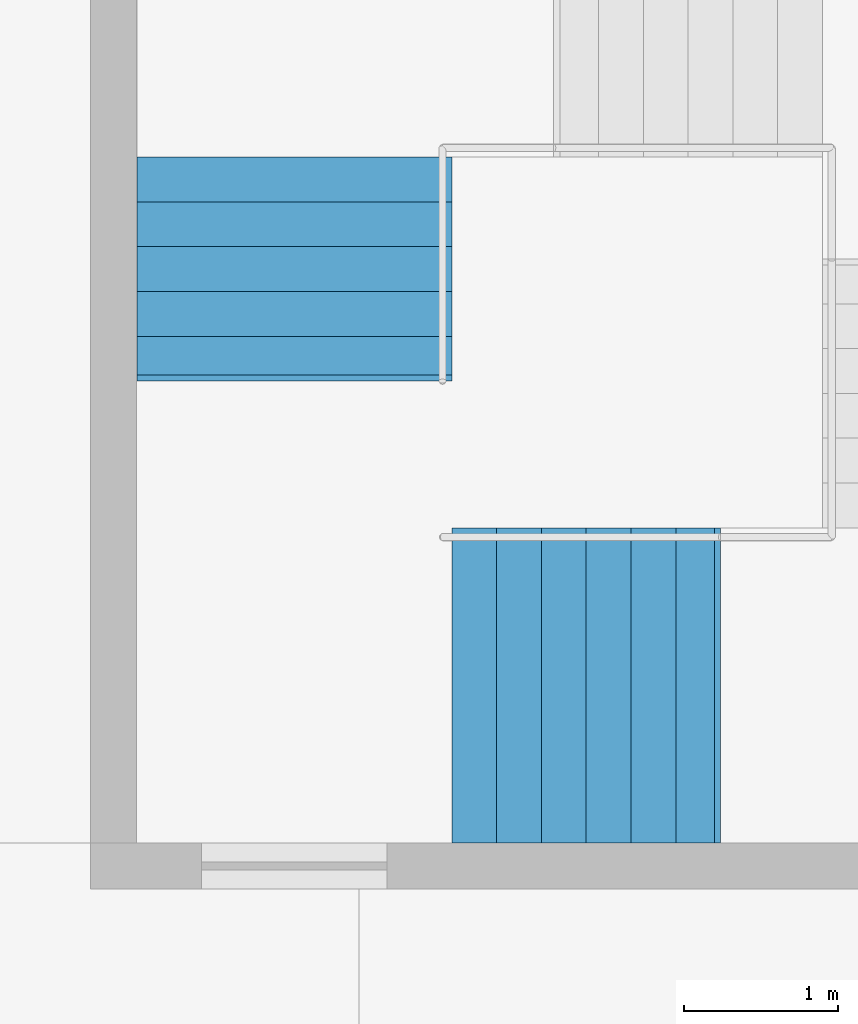
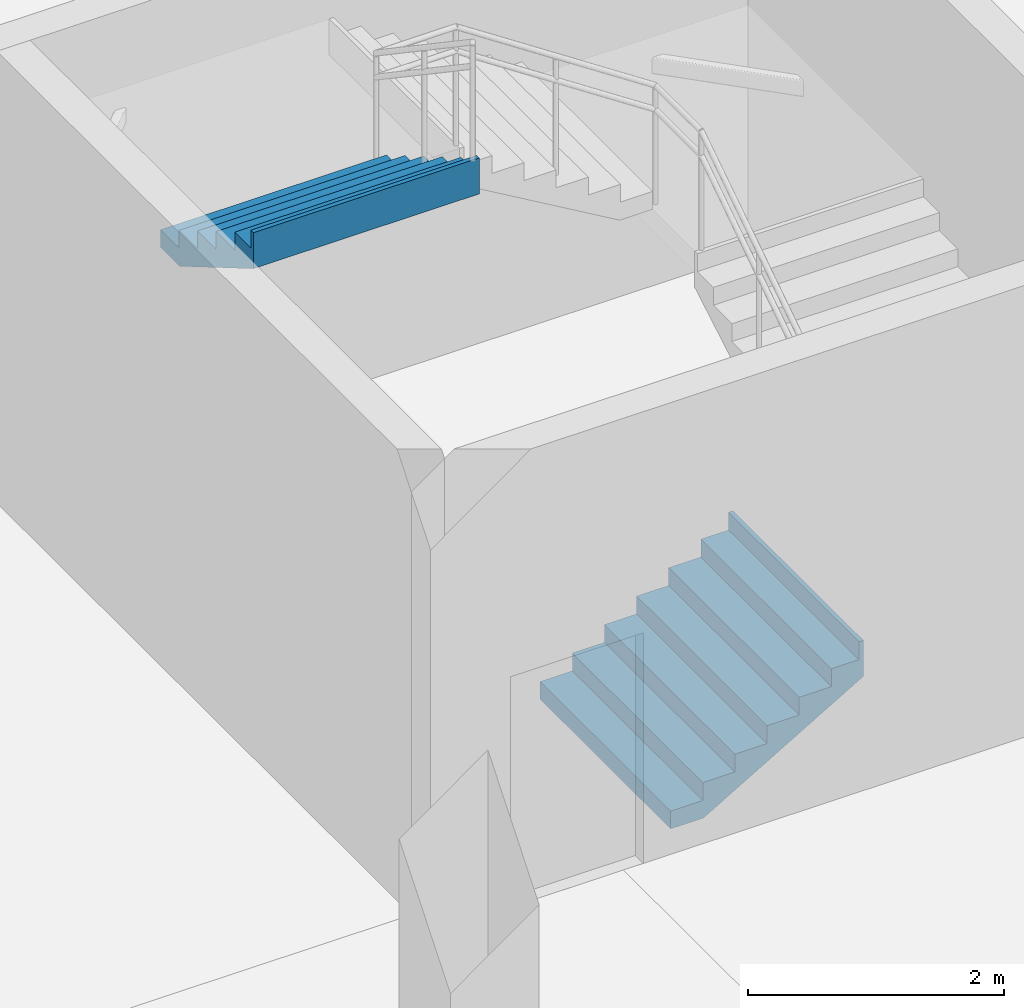
# One storey, part 23 of 30: 2 stair flights, 1 element without a shape of its own.
"""IFC4 building model written with IfcOpenShell, lengths in metres."""

from ifc_helpers import new_model, si_unit, direction, frame, origin, place, context, subcontext, project, spatial, triangles, material, type_object, element, aggregate, save


model = new_model("IFC4")

# Units and contexts
model_context = context("Model", 3, precision=1e-05, world=origin(), true_north=direction((0.0, 1.0)))
body_context = subcontext(model_context, "Body", "Model", "MODEL_VIEW")
ifc_project = project(units=[si_unit("LENGTHUNIT", "METRE"), si_unit("AREAUNIT", "SQUARE_METRE"), si_unit("VOLUMEUNIT", "CUBIC_METRE"), si_unit("PLANEANGLEUNIT", "RADIAN"), si_unit("MASSUNIT", "GRAM", prefix="KILO")], contexts=[model_context])

# Site, building, storey
site_placement = place(None, origin())
site = spatial("IfcSite", under=ifc_project, at=site_placement, CompositionType="ELEMENT")
building_placement = place(site_placement, origin())
building = spatial("IfcBuilding", under=site, at=building_placement, Name="Sillaruma Civic Art Gallery", CompositionType="ELEMENT")
storey_placement = place(building_placement, frame((0.0, 0.0, -9.179931640625)))
storey = spatial("IfcBuildingStorey", under=building, at=storey_placement, Name="B02", CompositionType="ELEMENT", Elevation=-9.179931640625)

# Stair, stair flights
ifc_material = material(Name="Concrete H35 (35 MPa)", Category="concrete")
stair_type = type_object("IfcStairType", Name="STR-4F-27", PredefinedType="USERDEFINED", material=ifc_material)
stair_placement = place(storey_placement, origin())
stair = element("IfcStair", 1, at=stair_placement, inside=storey, type_object=stair_type, Name="Protected Exit Stair ST-01 (West Wing) (B02)", ObjectType="THREE_RETURN_STAIR", PredefinedType="USERDEFINED")
stair_flight_type_1 = type_object("IfcStairFlightType", Name="SFL-STR-6", PredefinedType="STRAIGHT", material=ifc_material)
stair_flight_1_placement = place(storey_placement, frame((26.580078125, 105.139892578125, 3.56982421875), z_axis=(0.0, 0.0, 1.0), x_axis=(0.0, -1.0, 0.0)))
stair_flight_1 = element("IfcStairFlight", 2, at=stair_flight_1_placement, type_object=stair_flight_type_1, Name="ST-01 flight 4", NumberOfRisers=6, NumberOfTreads=5, PredefinedType="STRAIGHT", RiserHeight=0.17, TreadLength=0.29, context=body_context, shape_type="Tessellation", body=[
    triangles([(0.0, -1.02001953125, 0.0), (0.29, -1.02001953125, 0.0), (0.296365, -1.02001953125, 0.0), (0.58, -1.02001953125, 0.166269), (0.87, -1.02001953125, 0.336269), (1.16, -1.02001953125, 0.506269), (1.409951, -1.02001953125, 0.652792), (1.449951, -1.02001953125, 0.67624), (1.449951, -1.02001953125, 1.02), (1.409951, -1.02001953125, 1.02), (1.409951, -1.02001953125, 0.85), (1.16, -1.02001953125, 0.85), (1.16, -1.02001953125, 0.68), (0.87, -1.02001953125, 0.68), (0.87, -1.02001953125, 0.51), (0.58, -1.02001953125, 0.51), (0.58, -1.02001953125, 0.34), (0.296365, -1.02001953125, 0.34), (0.29, -1.02001953125, 0.34), (0.29, -1.02001953125, 0.17), (0.0, -1.02001953125, 0.17), (0.0, -0.05, 0.0), (0.29, -0.05, 0.0), (0.296365, -0.05, 0.0), (0.58, -0.05, 0.166269), (0.87, -0.05, 0.336269), (1.16, -0.05, 0.506269), (1.409951, -0.05, 0.652792), (1.449951, -0.05, 0.67624), (1.449951, -0.05, 1.02), (1.409951, -0.05, 1.02), (1.409951, -0.05, 0.85), (1.16, -0.05, 0.85), (1.16, -0.05, 0.68), (0.87, -0.05, 0.68), (0.87, -0.05, 0.51), (0.58, -0.05, 0.51), (0.58, -0.05, 0.34), (0.296365, -0.05, 0.34), (0.29, -0.05, 0.34), (0.29, -0.05, 0.17), (0.0, -0.05, 0.17), (0.0, -0.0375, 0.0), (0.29, -0.0375, 0.0), (0.296365, -0.0375, 0.0), (0.58, -0.0375, 0.166269), (0.87, -0.0375, 0.336269), (1.16, -0.0375, 0.506269), (1.409951, -0.0375, 0.652792), (1.449951, -0.0375, 0.67624), (1.449951, -0.0375, 1.02), (1.409951, -0.0375, 1.02), (1.409951, -0.0375, 0.85), (1.16, -0.0375, 0.85), (1.16, -0.0375, 0.68), (0.87, -0.0375, 0.68), (0.87, -0.0375, 0.51), (0.58, -0.0375, 0.51), (0.58, -0.0375, 0.34), (0.296365, -0.0375, 0.34), (0.29, -0.0375, 0.34), (0.29, -0.0375, 0.17), (0.0, -0.0375, 0.17), (0.0, -0.025, 0.0), (0.29, -0.025, 0.0), (0.296365, -0.025, 0.0), (0.58, -0.025, 0.166269), (0.87, -0.025, 0.336269), (1.16, -0.025, 0.506269), (1.409951, -0.025, 0.652792), (1.449951, -0.025, 0.67624), (1.449951, -0.025, 1.02), (1.409951, -0.025, 1.02), (1.409951, -0.025, 0.85), (1.16, -0.025, 0.85), (1.16, -0.025, 0.68), (0.87, -0.025, 0.68), (0.87, -0.025, 0.51), (0.58, -0.025, 0.51), (0.58, -0.025, 0.34), (0.296365, -0.025, 0.34), (0.29, -0.025, 0.34), (0.29, -0.025, 0.17), (0.0, -0.025, 0.17), (0.0, -0.0125, 0.0), (0.29, -0.0125, 0.0), (0.296365, -0.0125, 0.0), (0.58, -0.0125, 0.166269), (0.87, -0.0125, 0.336269), (1.16, -0.0125, 0.506269), (1.409951, -0.0125, 0.652792), (1.449951, -0.0125, 0.67624), (1.449951, -0.0125, 1.02), (1.409951, -0.0125, 1.02), (1.409951, -0.0125, 0.85), (1.16, -0.0125, 0.85), (1.16, -0.0125, 0.68), (0.87, -0.0125, 0.68), (0.87, -0.0125, 0.51), (0.58, -0.0125, 0.51), (0.58, -0.0125, 0.34), (0.296365, -0.0125, 0.34), (0.29, -0.0125, 0.34), (0.29, -0.0125, 0.17), (0.0, -0.0125, 0.17), (0.0, 0.0, 0.0), (0.29, 0.0, 0.0), (0.296365, 0.0, 0.0), (0.58, 0.0, 0.166269), (0.87, 0.0, 0.336269), (1.16, 0.0, 0.506269), (1.409951, 0.0, 0.652792), (1.449951, 0.0, 0.67624), (1.449951, 0.0, 1.02), (1.409951, 0.0, 1.02), (1.409951, 0.0, 0.85), (1.16, 0.0, 0.85), (1.16, 0.0, 0.68), (0.87, 0.0, 0.68), (0.87, 0.0, 0.51), (0.58, 0.0, 0.51), (0.58, 0.0, 0.34), (0.296365, 0.0, 0.34), (0.29, 0.0, 0.34), (0.29, 0.0, 0.17), (0.0, 0.0, 0.17), (0.0, 0.0125, 0.0), (0.29, 0.0125, 0.0), (0.296365, 0.0125, 0.0), (0.58, 0.0125, 0.166269), (0.87, 0.0125, 0.336269), (1.16, 0.0125, 0.506269), (1.409951, 0.0125, 0.652792), (1.449951, 0.0125, 0.67624), (1.449951, 0.0125, 1.02), (1.409951, 0.0125, 1.02), (1.409951, 0.0125, 0.85), (1.16, 0.0125, 0.85), (1.16, 0.0125, 0.68), (0.87, 0.0125, 0.68), (0.87, 0.0125, 0.51), (0.58, 0.0125, 0.51), (0.58, 0.0125, 0.34), (0.296365, 0.0125, 0.34), (0.29, 0.0125, 0.34), (0.29, 0.0125, 0.17), (0.0, 0.0125, 0.17), (0.0, 0.025, 0.0), (0.29, 0.025, 0.0), (0.296365, 0.025, 0.0), (0.58, 0.025, 0.166269), (0.87, 0.025, 0.336269), (1.16, 0.025, 0.506269), (1.409951, 0.025, 0.652792), (1.449951, 0.025, 0.67624), (1.449951, 0.025, 1.02), (1.409951, 0.025, 1.02), (1.409951, 0.025, 0.85), (1.16, 0.025, 0.85), (1.16, 0.025, 0.68), (0.87, 0.025, 0.68), (0.87, 0.025, 0.51), (0.58, 0.025, 0.51), (0.58, 0.025, 0.34), (0.296365, 0.025, 0.34), (0.29, 0.025, 0.34), (0.29, 0.025, 0.17), (0.0, 0.025, 0.17), (0.0, 0.0375, 0.0), (0.29, 0.0375, 0.0), (0.296365, 0.0375, 0.0), (0.58, 0.0375, 0.166269), (0.87, 0.0375, 0.336269), (1.16, 0.0375, 0.506269), (1.409951, 0.0375, 0.652792), (1.449951, 0.0375, 0.67624), (1.449951, 0.0375, 1.02), (1.409951, 0.0375, 1.02), (1.409951, 0.0375, 0.85), (1.16, 0.0375, 0.85), (1.16, 0.0375, 0.68), (0.87, 0.0375, 0.68), (0.87, 0.0375, 0.51), (0.58, 0.0375, 0.51), (0.58, 0.0375, 0.34), (0.296365, 0.0375, 0.34), (0.29, 0.0375, 0.34), (0.29, 0.0375, 0.17), (0.0, 0.0375, 0.17), (0.0, 0.05, 0.0), (0.29, 0.05, 0.0), (0.296365, 0.05, 0.0), (0.58, 0.05, 0.166269), (0.87, 0.05, 0.336269), (1.16, 0.05, 0.506269), (1.409951, 0.05, 0.652792), (1.449951, 0.05, 0.67624), (1.449951, 0.05, 1.02), (1.409951, 0.05, 1.02), (1.409951, 0.05, 0.85), (1.16, 0.05, 0.85), (1.16, 0.05, 0.68), (0.87, 0.05, 0.68), (0.87, 0.05, 0.51), (0.58, 0.05, 0.51), (0.58, 0.05, 0.34), (0.296365, 0.05, 0.34), (0.29, 0.05, 0.34), (0.29, 0.05, 0.17), (0.0, 0.05, 0.17), (0.0, 1.02001953125, 0.0), (0.29, 1.02001953125, 0.0), (0.296365, 1.02001953125, 0.0), (0.58, 1.02001953125, 0.166269), (0.87, 1.02001953125, 0.336269), (1.16, 1.02001953125, 0.506269), (1.409951, 1.02001953125, 0.652792), (1.449951, 1.02001953125, 0.67624), (1.449951, 1.02001953125, 1.02), (1.409951, 1.02001953125, 1.02), (1.409951, 1.02001953125, 0.85), (1.16, 1.02001953125, 0.85), (1.16, 1.02001953125, 0.68), (0.87, 1.02001953125, 0.68), (0.87, 1.02001953125, 0.51), (0.58, 1.02001953125, 0.51), (0.58, 1.02001953125, 0.34), (0.296365, 1.02001953125, 0.34), (0.29, 1.02001953125, 0.34), (0.29, 1.02001953125, 0.17), (0.0, 1.02001953125, 0.17)], [[1, 2, 20], [1, 20, 21], [2, 3, 18], [2, 18, 20], [20, 18, 19], [3, 4, 17], [3, 17, 18], [4, 5, 15], [4, 15, 17], [17, 15, 16], [5, 6, 13], [5, 13, 15], [15, 13, 14], [6, 7, 11], [6, 11, 13], [13, 11, 12], [7, 8, 9], [7, 9, 11], [11, 9, 10], [230, 212, 211], [231, 230, 211], [228, 213, 212], [230, 228, 212], [229, 228, 230], [227, 214, 213], [228, 227, 213], [225, 215, 214], [227, 225, 214], [226, 225, 227], [223, 216, 215], [225, 223, 215], [224, 223, 225], [221, 217, 216], [223, 221, 216], [222, 221, 223], [219, 218, 217], [221, 219, 217], [220, 219, 221], [2, 1, 22], [2, 22, 23], [3, 2, 23], [3, 23, 24], [4, 3, 24], [4, 24, 25], [5, 4, 25], [5, 25, 26], [6, 5, 26], [6, 26, 27], [7, 6, 27], [7, 27, 28], [8, 7, 28], [8, 28, 29], [9, 8, 29], [9, 29, 30], [10, 9, 30], [10, 30, 31], [11, 10, 31], [11, 31, 32], [12, 11, 32], [12, 32, 33], [13, 12, 33], [13, 33, 34], [14, 13, 34], [14, 34, 35], [15, 14, 35], [15, 35, 36], [16, 15, 36], [16, 36, 37], [17, 16, 37], [17, 37, 38], [18, 17, 38], [18, 38, 39], [19, 18, 39], [19, 39, 40], [20, 19, 40], [20, 40, 41], [21, 20, 41], [21, 41, 42], [1, 21, 42], [1, 42, 22], [23, 22, 43], [23, 43, 44], [24, 23, 44], [24, 44, 45], [25, 24, 45], [25, 45, 46], [26, 25, 46], [26, 46, 47], [27, 26, 47], [27, 47, 48], [28, 27, 48], [28, 48, 49], [29, 28, 49], [29, 49, 50], [30, 29, 50], [30, 50, 51], [31, 30, 51], [31, 51, 52], [32, 31, 52], [32, 52, 53], [33, 32, 53], [33, 53, 54], [34, 33, 54], [34, 54, 55], [35, 34, 55], [35, 55, 56], [36, 35, 56], [36, 56, 57], [37, 36, 57], [37, 57, 58], [38, 37, 58], [38, 58, 59], [39, 38, 59], [39, 59, 60], [40, 39, 60], [40, 60, 61], [41, 40, 61], [41, 61, 62], [42, 41, 62], [42, 62, 63], [22, 42, 63], [22, 63, 43], [44, 43, 64], [44, 64, 65], [45, 44, 65], [45, 65, 66], [46, 45, 66], [46, 66, 67], [47, 46, 67], [47, 67, 68], [48, 47, 68], [48, 68, 69], [49, 48, 69], [49, 69, 70], [50, 49, 70], [50, 70, 71], [51, 50, 71], [51, 71, 72], [52, 51, 72], [52, 72, 73], [53, 52, 73], [53, 73, 74], [54, 53, 74], [54, 74, 75], [55, 54, 75], [55, 75, 76], [56, 55, 76], [56, 76, 77], [57, 56, 77], [57, 77, 78], [58, 57, 78], [58, 78, 79], [59, 58, 79], [59, 79, 80], [60, 59, 80], [60, 80, 81], [61, 60, 81], [61, 81, 82], [62, 61, 82], [62, 82, 83], [63, 62, 83], [63, 83, 84], [43, 63, 84], [43, 84, 64], [65, 64, 85], [65, 85, 86], [66, 65, 86], [66, 86, 87], [67, 66, 87], [67, 87, 88], [68, 67, 88], [68, 88, 89], [69, 68, 89], [69, 89, 90], [70, 69, 90], [70, 90, 91], [71, 70, 91], [71, 91, 92], [72, 71, 92], [72, 92, 93], [73, 72, 93], [73, 93, 94], [74, 73, 94], [74, 94, 95], [75, 74, 95], [75, 95, 96], [76, 75, 96], [76, 96, 97], [77, 76, 97], [77, 97, 98], [78, 77, 98], [78, 98, 99], [79, 78, 99], [79, 99, 100], [80, 79, 100], [80, 100, 101], [81, 80, 101], [81, 101, 102], [82, 81, 102], [82, 102, 103], [83, 82, 103], [83, 103, 104], [84, 83, 104], [84, 104, 105], [64, 84, 105], [64, 105, 85], [86, 85, 106], [86, 106, 107], [87, 86, 107], [87, 107, 108], [88, 87, 108], [88, 108, 109], [89, 88, 109], [89, 109, 110], [90, 89, 110], [90, 110, 111], [91, 90, 111], [91, 111, 112], [92, 91, 112], [92, 112, 113], [93, 92, 113], [93, 113, 114], [94, 93, 114], [94, 114, 115], [95, 94, 115], [95, 115, 116], [96, 95, 116], [96, 116, 117], [97, 96, 117], [97, 117, 118], [98, 97, 118], [98, 118, 119], [99, 98, 119], [99, 119, 120], [100, 99, 120], [100, 120, 121], [101, 100, 121], [101, 121, 122], [102, 101, 122], [102, 122, 123], [103, 102, 123], [103, 123, 124], [104, 103, 124], [104, 124, 125], [105, 104, 125], [105, 125, 126], [85, 105, 126], [85, 126, 106], [107, 106, 127], [107, 127, 128], [108, 107, 128], [108, 128, 129], [109, 108, 129], [109, 129, 130], [110, 109, 130], [110, 130, 131], [111, 110, 131], [111, 131, 132], [112, 111, 132], [112, 132, 133], [113, 112, 133], [113, 133, 134], [114, 113, 134], [114, 134, 135], [115, 114, 135], [115, 135, 136], [116, 115, 136], [116, 136, 137], [117, 116, 137], [117, 137, 138], [118, 117, 138], [118, 138, 139], [119, 118, 139], [119, 139, 140], [120, 119, 140], [120, 140, 141], [121, 120, 141], [121, 141, 142], [122, 121, 142], [122, 142, 143], [123, 122, 143], [123, 143, 144], [124, 123, 144], [124, 144, 145], [125, 124, 145], [125, 145, 146], [126, 125, 146], [126, 146, 147], [106, 126, 147], [106, 147, 127], [128, 127, 148], [128, 148, 149], [129, 128, 149], [129, 149, 150], [130, 129, 150], [130, 150, 151], [131, 130, 151], [131, 151, 152], [132, 131, 152], [132, 152, 153], [133, 132, 153], [133, 153, 154], [134, 133, 154], [134, 154, 155], [135, 134, 155], [135, 155, 156], [136, 135, 156], [136, 156, 157], [137, 136, 157], [137, 157, 158], [138, 137, 158], [138, 158, 159], [139, 138, 159], [139, 159, 160], [140, 139, 160], [140, 160, 161], [141, 140, 161], [141, 161, 162], [142, 141, 162], [142, 162, 163], [143, 142, 163], [143, 163, 164], [144, 143, 164], [144, 164, 165], [145, 144, 165], [145, 165, 166], [146, 145, 166], [146, 166, 167], [147, 146, 167], [147, 167, 168], [127, 147, 168], [127, 168, 148], [149, 148, 169], [149, 169, 170], [150, 149, 170], [150, 170, 171], [151, 150, 171], [151, 171, 172], [152, 151, 172], [152, 172, 173], [153, 152, 173], [153, 173, 174], [154, 153, 174], [154, 174, 175], [155, 154, 175], [155, 175, 176], [156, 155, 176], [156, 176, 177], [157, 156, 177], [157, 177, 178], [158, 157, 178], [158, 178, 179], [159, 158, 179], [159, 179, 180], [160, 159, 180], [160, 180, 181], [161, 160, 181], [161, 181, 182], [162, 161, 182], [162, 182, 183], [163, 162, 183], [163, 183, 184], [164, 163, 184], [164, 184, 185], [165, 164, 185], [165, 185, 186], [166, 165, 186], [166, 186, 187], [167, 166, 187], [167, 187, 188], [168, 167, 188], [168, 188, 189], [148, 168, 189], [148, 189, 169], [170, 169, 190], [170, 190, 191], [171, 170, 191], [171, 191, 192], [172, 171, 192], [172, 192, 193], [173, 172, 193], [173, 193, 194], [174, 173, 194], [174, 194, 195], [175, 174, 195], [175, 195, 196], [176, 175, 196], [176, 196, 197], [177, 176, 197], [177, 197, 198], [178, 177, 198], [178, 198, 199], [179, 178, 199], [179, 199, 200], [180, 179, 200], [180, 200, 201], [181, 180, 201], [181, 201, 202], [182, 181, 202], [182, 202, 203], [183, 182, 203], [183, 203, 204], [184, 183, 204], [184, 204, 205], [185, 184, 205], [185, 205, 206], [186, 185, 206], [186, 206, 207], [187, 186, 207], [187, 207, 208], [188, 187, 208], [188, 208, 209], [189, 188, 209], [189, 209, 210], [169, 189, 210], [169, 210, 190], [191, 190, 211], [191, 211, 212], [192, 191, 212], [192, 212, 213], [193, 192, 213], [193, 213, 214], [194, 193, 214], [194, 214, 215], [195, 194, 215], [195, 215, 216], [196, 195, 216], [196, 216, 217], [197, 196, 217], [197, 217, 218], [198, 197, 218], [198, 218, 219], [199, 198, 219], [199, 219, 220], [200, 199, 220], [200, 220, 221], [201, 200, 221], [201, 221, 222], [202, 201, 222], [202, 222, 223], [203, 202, 223], [203, 223, 224], [204, 203, 224], [204, 224, 225], [205, 204, 225], [205, 225, 226], [206, 205, 226], [206, 226, 227], [207, 206, 227], [207, 227, 228], [208, 207, 228], [208, 228, 229], [209, 208, 229], [209, 229, 230], [210, 209, 230], [210, 230, 231], [190, 210, 231], [190, 231, 211]], closed=True),
])
stair_flight_type_2 = type_object("IfcStairFlightType", Name="SFL-STR-7", PredefinedType="STRAIGHT", material=ifc_material)
stair_flight_2_placement = place(storey_placement, frame((27.60009765625, 101.719970703125, 0.0), z_axis=(0.0, 0.0, 1.0), x_axis=(1.0, 0.0, 0.0)))
stair_flight_2 = element("IfcStairFlight", 3, at=stair_flight_2_placement, type_object=stair_flight_type_2, Name="ST-01 flight 1", NumberOfRisers=7, NumberOfTreads=6, PredefinedType="STRAIGHT", RiserHeight=0.17, TreadLength=0.29, context=body_context, shape_type="Tessellation", body=[
    triangles([(0.0, -1.02001953125, 0.0), (0.29, -1.02001953125, 0.0), (0.296404, -1.02001953125, 0.0), (0.58, -1.02001953125, 0.166246), (0.87, -1.02001953125, 0.336246), (1.16, -1.02001953125, 0.506246), (1.45, -1.02001953125, 0.676246), (1.69999, -1.02001953125, 0.822792), (1.73999, -1.02001953125, 0.84624), (1.73999, -1.02001953125, 1.19), (1.69999, -1.02001953125, 1.19), (1.69999, -1.02001953125, 1.02), (1.45, -1.02001953125, 1.02), (1.45, -1.02001953125, 0.85), (1.16, -1.02001953125, 0.85), (1.16, -1.02001953125, 0.68), (0.87, -1.02001953125, 0.68), (0.87, -1.02001953125, 0.51), (0.58, -1.02001953125, 0.51), (0.58, -1.02001953125, 0.34), (0.296404, -1.02001953125, 0.34), (0.29, -1.02001953125, 0.34), (0.29, -1.02001953125, 0.17), (0.0, -1.02001953125, 0.17), (0.0, -0.05, 0.0), (0.29, -0.05, 0.0), (0.296404, -0.05, 0.0), (0.58, -0.05, 0.166246), (0.87, -0.05, 0.336246), (1.16, -0.05, 0.506246), (1.45, -0.05, 0.676246), (1.69999, -0.05, 0.822792), (1.73999, -0.05, 0.84624), (1.73999, -0.05, 1.19), (1.69999, -0.05, 1.19), (1.69999, -0.05, 1.02), (1.45, -0.05, 1.02), (1.45, -0.05, 0.85), (1.16, -0.05, 0.85), (1.16, -0.05, 0.68), (0.87, -0.05, 0.68), (0.87, -0.05, 0.51), (0.58, -0.05, 0.51), (0.58, -0.05, 0.34), (0.296404, -0.05, 0.34), (0.29, -0.05, 0.34), (0.29, -0.05, 0.17), (0.0, -0.05, 0.17), (0.0, -0.0375, 0.0), (0.29, -0.0375, 0.0), (0.296404, -0.0375, 0.0), (0.58, -0.0375, 0.166246), (0.87, -0.0375, 0.336246), (1.16, -0.0375, 0.506246), (1.45, -0.0375, 0.676246), (1.69999, -0.0375, 0.822792), (1.73999, -0.0375, 0.84624), (1.73999, -0.0375, 1.19), (1.69999, -0.0375, 1.19), (1.69999, -0.0375, 1.02), (1.45, -0.0375, 1.02), (1.45, -0.0375, 0.85), (1.16, -0.0375, 0.85), (1.16, -0.0375, 0.68), (0.87, -0.0375, 0.68), (0.87, -0.0375, 0.51), (0.58, -0.0375, 0.51), (0.58, -0.0375, 0.34), (0.296404, -0.0375, 0.34), (0.29, -0.0375, 0.34), (0.29, -0.0375, 0.17), (0.0, -0.0375, 0.17), (0.0, -0.025, 0.0), (0.29, -0.025, 0.0), (0.296404, -0.025, 0.0), (0.58, -0.025, 0.166246), (0.87, -0.025, 0.336246), (1.16, -0.025, 0.506246), (1.45, -0.025, 0.676246), (1.69999, -0.025, 0.822792), (1.73999, -0.025, 0.84624), (1.73999, -0.025, 1.19), (1.69999, -0.025, 1.19), (1.69999, -0.025, 1.02), (1.45, -0.025, 1.02), (1.45, -0.025, 0.85), (1.16, -0.025, 0.85), (1.16, -0.025, 0.68), (0.87, -0.025, 0.68), (0.87, -0.025, 0.51), (0.58, -0.025, 0.51), (0.58, -0.025, 0.34), (0.296404, -0.025, 0.34), (0.29, -0.025, 0.34), (0.29, -0.025, 0.17), (0.0, -0.025, 0.17), (0.0, -0.0125, 0.0), (0.29, -0.0125, 0.0), (0.296404, -0.0125, 0.0), (0.58, -0.0125, 0.166246), (0.87, -0.0125, 0.336246), (1.16, -0.0125, 0.506246), (1.45, -0.0125, 0.676246), (1.69999, -0.0125, 0.822792), (1.73999, -0.0125, 0.84624), (1.73999, -0.0125, 1.19), (1.69999, -0.0125, 1.19), (1.69999, -0.0125, 1.02), (1.45, -0.0125, 1.02), (1.45, -0.0125, 0.85), (1.16, -0.0125, 0.85), (1.16, -0.0125, 0.68), (0.87, -0.0125, 0.68), (0.87, -0.0125, 0.51), (0.58, -0.0125, 0.51), (0.58, -0.0125, 0.34), (0.296404, -0.0125, 0.34), (0.29, -0.0125, 0.34), (0.29, -0.0125, 0.17), (0.0, -0.0125, 0.17), (0.0, 0.0, 0.0), (0.29, 0.0, 0.0), (0.296404, 0.0, 0.0), (0.58, 0.0, 0.166246), (0.87, 0.0, 0.336246), (1.16, 0.0, 0.506246), (1.45, 0.0, 0.676246), (1.69999, 0.0, 0.822792), (1.73999, 0.0, 0.84624), (1.73999, 0.0, 1.19), (1.69999, 0.0, 1.19), (1.69999, 0.0, 1.02), (1.45, 0.0, 1.02), (1.45, 0.0, 0.85), (1.16, 0.0, 0.85), (1.16, 0.0, 0.68), (0.87, 0.0, 0.68), (0.87, 0.0, 0.51), (0.58, 0.0, 0.51), (0.58, 0.0, 0.34), (0.296404, 0.0, 0.34), (0.29, 0.0, 0.34), (0.29, 0.0, 0.17), (0.0, 0.0, 0.17), (0.0, 0.0125, 0.0), (0.29, 0.0125, 0.0), (0.296404, 0.0125, 0.0), (0.58, 0.0125, 0.166246), (0.87, 0.0125, 0.336246), (1.16, 0.0125, 0.506246), (1.45, 0.0125, 0.676246), (1.69999, 0.0125, 0.822792), (1.73999, 0.0125, 0.84624), (1.73999, 0.0125, 1.19), (1.69999, 0.0125, 1.19), (1.69999, 0.0125, 1.02), (1.45, 0.0125, 1.02), (1.45, 0.0125, 0.85), (1.16, 0.0125, 0.85), (1.16, 0.0125, 0.68), (0.87, 0.0125, 0.68), (0.87, 0.0125, 0.51), (0.58, 0.0125, 0.51), (0.58, 0.0125, 0.34), (0.296404, 0.0125, 0.34), (0.29, 0.0125, 0.34), (0.29, 0.0125, 0.17), (0.0, 0.0125, 0.17), (0.0, 0.025, 0.0), (0.29, 0.025, 0.0), (0.296404, 0.025, 0.0), (0.58, 0.025, 0.166246), (0.87, 0.025, 0.336246), (1.16, 0.025, 0.506246), (1.45, 0.025, 0.676246), (1.69999, 0.025, 0.822792), (1.73999, 0.025, 0.84624), (1.73999, 0.025, 1.19), (1.69999, 0.025, 1.19), (1.69999, 0.025, 1.02), (1.45, 0.025, 1.02), (1.45, 0.025, 0.85), (1.16, 0.025, 0.85), (1.16, 0.025, 0.68), (0.87, 0.025, 0.68), (0.87, 0.025, 0.51), (0.58, 0.025, 0.51), (0.58, 0.025, 0.34), (0.296404, 0.025, 0.34), (0.29, 0.025, 0.34), (0.29, 0.025, 0.17), (0.0, 0.025, 0.17), (0.0, 0.0375, 0.0), (0.29, 0.0375, 0.0), (0.296404, 0.0375, 0.0), (0.58, 0.0375, 0.166246), (0.87, 0.0375, 0.336246), (1.16, 0.0375, 0.506246), (1.45, 0.0375, 0.676246), (1.69999, 0.0375, 0.822792), (1.73999, 0.0375, 0.84624), (1.73999, 0.0375, 1.19), (1.69999, 0.0375, 1.19), (1.69999, 0.0375, 1.02), (1.45, 0.0375, 1.02), (1.45, 0.0375, 0.85), (1.16, 0.0375, 0.85), (1.16, 0.0375, 0.68), (0.87, 0.0375, 0.68), (0.87, 0.0375, 0.51), (0.58, 0.0375, 0.51), (0.58, 0.0375, 0.34), (0.296404, 0.0375, 0.34), (0.29, 0.0375, 0.34), (0.29, 0.0375, 0.17), (0.0, 0.0375, 0.17), (0.0, 0.05, 0.0), (0.29, 0.05, 0.0), (0.296404, 0.05, 0.0), (0.58, 0.05, 0.166246), (0.87, 0.05, 0.336246), (1.16, 0.05, 0.506246), (1.45, 0.05, 0.676246), (1.69999, 0.05, 0.822792), (1.73999, 0.05, 0.84624), (1.73999, 0.05, 1.19), (1.69999, 0.05, 1.19), (1.69999, 0.05, 1.02), (1.45, 0.05, 1.02), (1.45, 0.05, 0.85), (1.16, 0.05, 0.85), (1.16, 0.05, 0.68), (0.87, 0.05, 0.68), (0.87, 0.05, 0.51), (0.58, 0.05, 0.51), (0.58, 0.05, 0.34), (0.296404, 0.05, 0.34), (0.29, 0.05, 0.34), (0.29, 0.05, 0.17), (0.0, 0.05, 0.17), (0.0, 1.02001953125, 0.0), (0.29, 1.02001953125, 0.0), (0.296404, 1.02001953125, 0.0), (0.58, 1.02001953125, 0.166246), (0.87, 1.02001953125, 0.336246), (1.16, 1.02001953125, 0.506246), (1.45, 1.02001953125, 0.676246), (1.69999, 1.02001953125, 0.822792), (1.73999, 1.02001953125, 0.84624), (1.73999, 1.02001953125, 1.19), (1.69999, 1.02001953125, 1.19), (1.69999, 1.02001953125, 1.02), (1.45, 1.02001953125, 1.02), (1.45, 1.02001953125, 0.85), (1.16, 1.02001953125, 0.85), (1.16, 1.02001953125, 0.68), (0.87, 1.02001953125, 0.68), (0.87, 1.02001953125, 0.51), (0.58, 1.02001953125, 0.51), (0.58, 1.02001953125, 0.34), (0.296404, 1.02001953125, 0.34), (0.29, 1.02001953125, 0.34), (0.29, 1.02001953125, 0.17), (0.0, 1.02001953125, 0.17)], [[1, 2, 23], [1, 23, 24], [2, 3, 21], [2, 21, 23], [23, 21, 22], [3, 4, 20], [3, 20, 21], [4, 5, 18], [4, 18, 20], [20, 18, 19], [5, 6, 16], [5, 16, 18], [18, 16, 17], [6, 7, 14], [6, 14, 16], [16, 14, 15], [7, 8, 12], [7, 12, 14], [14, 12, 13], [8, 9, 10], [8, 10, 12], [12, 10, 11], [263, 242, 241], [264, 263, 241], [261, 243, 242], [263, 261, 242], [262, 261, 263], [260, 244, 243], [261, 260, 243], [258, 245, 244], [260, 258, 244], [259, 258, 260], [256, 246, 245], [258, 256, 245], [257, 256, 258], [254, 247, 246], [256, 254, 246], [255, 254, 256], [252, 248, 247], [254, 252, 247], [253, 252, 254], [250, 249, 248], [252, 250, 248], [251, 250, 252], [2, 1, 25], [2, 25, 26], [3, 2, 26], [3, 26, 27], [4, 3, 27], [4, 27, 28], [5, 4, 28], [5, 28, 29], [6, 5, 29], [6, 29, 30], [7, 6, 30], [7, 30, 31], [8, 7, 31], [8, 31, 32], [9, 8, 32], [9, 32, 33], [10, 9, 33], [10, 33, 34], [11, 10, 34], [11, 34, 35], [12, 11, 35], [12, 35, 36], [13, 12, 36], [13, 36, 37], [14, 13, 37], [14, 37, 38], [15, 14, 38], [15, 38, 39], [16, 15, 39], [16, 39, 40], [17, 16, 40], [17, 40, 41], [18, 17, 41], [18, 41, 42], [19, 18, 42], [19, 42, 43], [20, 19, 43], [20, 43, 44], [21, 20, 44], [21, 44, 45], [22, 21, 45], [22, 45, 46], [23, 22, 46], [23, 46, 47], [24, 23, 47], [24, 47, 48], [1, 24, 48], [1, 48, 25], [26, 25, 49], [26, 49, 50], [27, 26, 50], [27, 50, 51], [28, 27, 51], [28, 51, 52], [29, 28, 52], [29, 52, 53], [30, 29, 53], [30, 53, 54], [31, 30, 54], [31, 54, 55], [32, 31, 55], [32, 55, 56], [33, 32, 56], [33, 56, 57], [34, 33, 57], [34, 57, 58], [35, 34, 58], [35, 58, 59], [36, 35, 59], [36, 59, 60], [37, 36, 60], [37, 60, 61], [38, 37, 61], [38, 61, 62], [39, 38, 62], [39, 62, 63], [40, 39, 63], [40, 63, 64], [41, 40, 64], [41, 64, 65], [42, 41, 65], [42, 65, 66], [43, 42, 66], [43, 66, 67], [44, 43, 67], [44, 67, 68], [45, 44, 68], [45, 68, 69], [46, 45, 69], [46, 69, 70], [47, 46, 70], [47, 70, 71], [48, 47, 71], [48, 71, 72], [25, 48, 72], [25, 72, 49], [50, 49, 73], [50, 73, 74], [51, 50, 74], [51, 74, 75], [52, 51, 75], [52, 75, 76], [53, 52, 76], [53, 76, 77], [54, 53, 77], [54, 77, 78], [55, 54, 78], [55, 78, 79], [56, 55, 79], [56, 79, 80], [57, 56, 80], [57, 80, 81], [58, 57, 81], [58, 81, 82], [59, 58, 82], [59, 82, 83], [60, 59, 83], [60, 83, 84], [61, 60, 84], [61, 84, 85], [62, 61, 85], [62, 85, 86], [63, 62, 86], [63, 86, 87], [64, 63, 87], [64, 87, 88], [65, 64, 88], [65, 88, 89], [66, 65, 89], [66, 89, 90], [67, 66, 90], [67, 90, 91], [68, 67, 91], [68, 91, 92], [69, 68, 92], [69, 92, 93], [70, 69, 93], [70, 93, 94], [71, 70, 94], [71, 94, 95], [72, 71, 95], [72, 95, 96], [49, 72, 96], [49, 96, 73], [74, 73, 97], [74, 97, 98], [75, 74, 98], [75, 98, 99], [76, 75, 99], [76, 99, 100], [77, 76, 100], [77, 100, 101], [78, 77, 101], [78, 101, 102], [79, 78, 102], [79, 102, 103], [80, 79, 103], [80, 103, 104], [81, 80, 104], [81, 104, 105], [82, 81, 105], [82, 105, 106], [83, 82, 106], [83, 106, 107], [84, 83, 107], [84, 107, 108], [85, 84, 108], [85, 108, 109], [86, 85, 109], [86, 109, 110], [87, 86, 110], [87, 110, 111], [88, 87, 111], [88, 111, 112], [89, 88, 112], [89, 112, 113], [90, 89, 113], [90, 113, 114], [91, 90, 114], [91, 114, 115], [92, 91, 115], [92, 115, 116], [93, 92, 116], [93, 116, 117], [94, 93, 117], [94, 117, 118], [95, 94, 118], [95, 118, 119], [96, 95, 119], [96, 119, 120], [73, 96, 120], [73, 120, 97], [98, 97, 121], [98, 121, 122], [99, 98, 122], [99, 122, 123], [100, 99, 123], [100, 123, 124], [101, 100, 124], [101, 124, 125], [102, 101, 125], [102, 125, 126], [103, 102, 126], [103, 126, 127], [104, 103, 127], [104, 127, 128], [105, 104, 128], [105, 128, 129], [106, 105, 129], [106, 129, 130], [107, 106, 130], [107, 130, 131], [108, 107, 131], [108, 131, 132], [109, 108, 132], [109, 132, 133], [110, 109, 133], [110, 133, 134], [111, 110, 134], [111, 134, 135], [112, 111, 135], [112, 135, 136], [113, 112, 136], [113, 136, 137], [114, 113, 137], [114, 137, 138], [115, 114, 138], [115, 138, 139], [116, 115, 139], [116, 139, 140], [117, 116, 140], [117, 140, 141], [118, 117, 141], [118, 141, 142], [119, 118, 142], [119, 142, 143], [120, 119, 143], [120, 143, 144], [97, 120, 144], [97, 144, 121], [122, 121, 145], [122, 145, 146], [123, 122, 146], [123, 146, 147], [124, 123, 147], [124, 147, 148], [125, 124, 148], [125, 148, 149], [126, 125, 149], [126, 149, 150], [127, 126, 150], [127, 150, 151], [128, 127, 151], [128, 151, 152], [129, 128, 152], [129, 152, 153], [130, 129, 153], [130, 153, 154], [131, 130, 154], [131, 154, 155], [132, 131, 155], [132, 155, 156], [133, 132, 156], [133, 156, 157], [134, 133, 157], [134, 157, 158], [135, 134, 158], [135, 158, 159], [136, 135, 159], [136, 159, 160], [137, 136, 160], [137, 160, 161], [138, 137, 161], [138, 161, 162], [139, 138, 162], [139, 162, 163], [140, 139, 163], [140, 163, 164], [141, 140, 164], [141, 164, 165], [142, 141, 165], [142, 165, 166], [143, 142, 166], [143, 166, 167], [144, 143, 167], [144, 167, 168], [121, 144, 168], [121, 168, 145], [146, 145, 169], [146, 169, 170], [147, 146, 170], [147, 170, 171], [148, 147, 171], [148, 171, 172], [149, 148, 172], [149, 172, 173], [150, 149, 173], [150, 173, 174], [151, 150, 174], [151, 174, 175], [152, 151, 175], [152, 175, 176], [153, 152, 176], [153, 176, 177], [154, 153, 177], [154, 177, 178], [155, 154, 178], [155, 178, 179], [156, 155, 179], [156, 179, 180], [157, 156, 180], [157, 180, 181], [158, 157, 181], [158, 181, 182], [159, 158, 182], [159, 182, 183], [160, 159, 183], [160, 183, 184], [161, 160, 184], [161, 184, 185], [162, 161, 185], [162, 185, 186], [163, 162, 186], [163, 186, 187], [164, 163, 187], [164, 187, 188], [165, 164, 188], [165, 188, 189], [166, 165, 189], [166, 189, 190], [167, 166, 190], [167, 190, 191], [168, 167, 191], [168, 191, 192], [145, 168, 192], [145, 192, 169], [170, 169, 193], [170, 193, 194], [171, 170, 194], [171, 194, 195], [172, 171, 195], [172, 195, 196], [173, 172, 196], [173, 196, 197], [174, 173, 197], [174, 197, 198], [175, 174, 198], [175, 198, 199], [176, 175, 199], [176, 199, 200], [177, 176, 200], [177, 200, 201], [178, 177, 201], [178, 201, 202], [179, 178, 202], [179, 202, 203], [180, 179, 203], [180, 203, 204], [181, 180, 204], [181, 204, 205], [182, 181, 205], [182, 205, 206], [183, 182, 206], [183, 206, 207], [184, 183, 207], [184, 207, 208], [185, 184, 208], [185, 208, 209], [186, 185, 209], [186, 209, 210], [187, 186, 210], [187, 210, 211], [188, 187, 211], [188, 211, 212], [189, 188, 212], [189, 212, 213], [190, 189, 213], [190, 213, 214], [191, 190, 214], [191, 214, 215], [192, 191, 215], [192, 215, 216], [169, 192, 216], [169, 216, 193], [194, 193, 217], [194, 217, 218], [195, 194, 218], [195, 218, 219], [196, 195, 219], [196, 219, 220], [197, 196, 220], [197, 220, 221], [198, 197, 221], [198, 221, 222], [199, 198, 222], [199, 222, 223], [200, 199, 223], [200, 223, 224], [201, 200, 224], [201, 224, 225], [202, 201, 225], [202, 225, 226], [203, 202, 226], [203, 226, 227], [204, 203, 227], [204, 227, 228], [205, 204, 228], [205, 228, 229], [206, 205, 229], [206, 229, 230], [207, 206, 230], [207, 230, 231], [208, 207, 231], [208, 231, 232], [209, 208, 232], [209, 232, 233], [210, 209, 233], [210, 233, 234], [211, 210, 234], [211, 234, 235], [212, 211, 235], [212, 235, 236], [213, 212, 236], [213, 236, 237], [214, 213, 237], [214, 237, 238], [215, 214, 238], [215, 238, 239], [216, 215, 239], [216, 239, 240], [193, 216, 240], [193, 240, 217], [218, 217, 241], [218, 241, 242], [219, 218, 242], [219, 242, 243], [220, 219, 243], [220, 243, 244], [221, 220, 244], [221, 244, 245], [222, 221, 245], [222, 245, 246], [223, 222, 246], [223, 246, 247], [224, 223, 247], [224, 247, 248], [225, 224, 248], [225, 248, 249], [226, 225, 249], [226, 249, 250], [227, 226, 250], [227, 250, 251], [228, 227, 251], [228, 251, 252], [229, 228, 252], [229, 252, 253], [230, 229, 253], [230, 253, 254], [231, 230, 254], [231, 254, 255], [232, 231, 255], [232, 255, 256], [233, 232, 256], [233, 256, 257], [234, 233, 257], [234, 257, 258], [235, 234, 258], [235, 258, 259], [236, 235, 259], [236, 259, 260], [237, 236, 260], [237, 260, 261], [238, 237, 261], [238, 261, 262], [239, 238, 262], [239, 262, 263], [240, 239, 263], [240, 263, 264], [217, 240, 264], [217, 264, 241]], closed=True),
])
aggregate(stair, [stair_flight_2, stair_flight_1])

save(model, "model.ifc")
